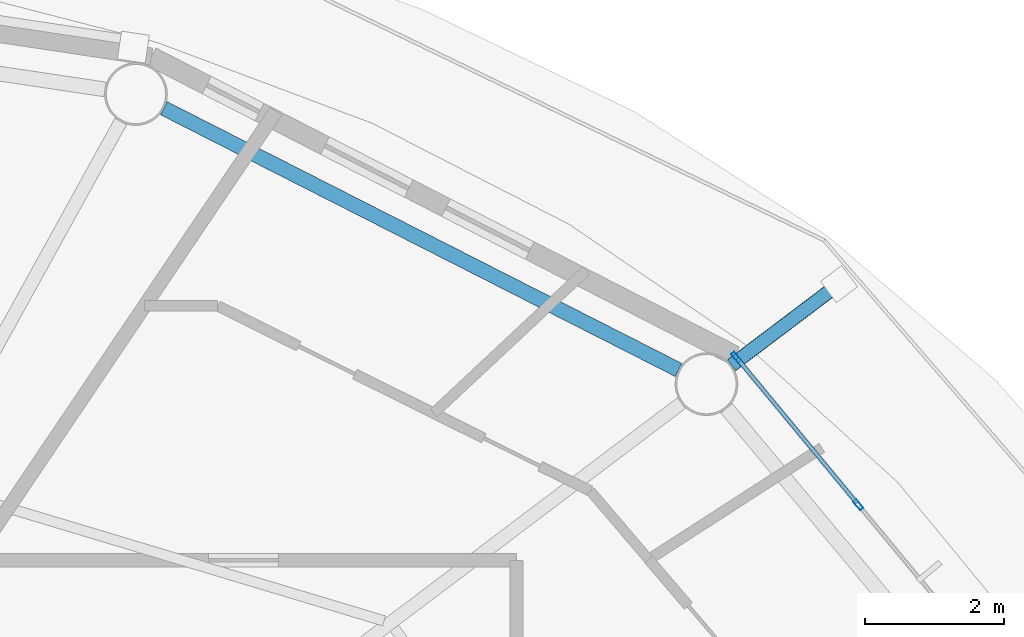
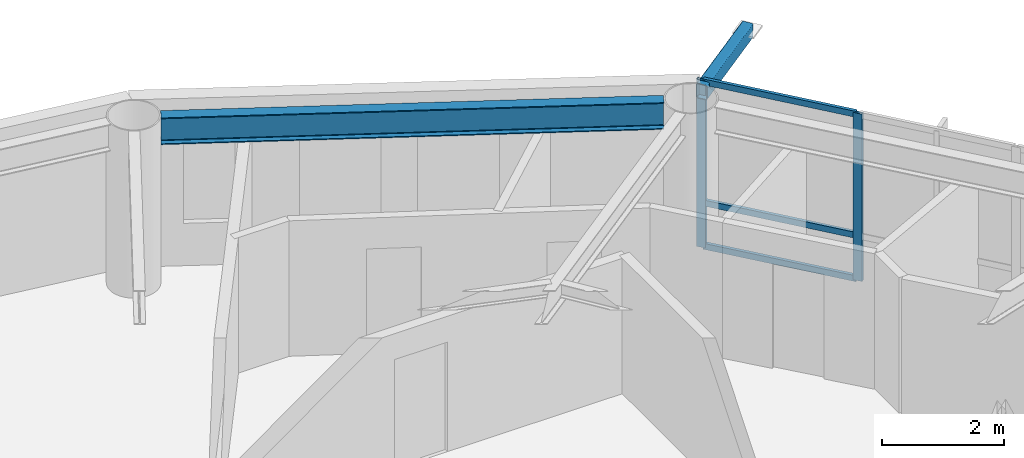
# One storey, part 11 of 23: 6 members, 1 beam, 1 element without a shape of its own.
"""IFC4 building model written with IfcOpenShell, lengths in metres."""

from ifc_helpers import new_model, si_unit, direction, frame, origin, origin_2d, place, context, subcontext, project, spatial, hollow_rectangle, i_section, extrude, material, layer, layer_set, material_profile, profile_set, type_object, element, aggregate, save


model = new_model("IFC4")

# Units and contexts
model_context = context("Model", 3, precision=1e-05, world=origin(), true_north=direction((0.0, 1.0)))
body_context = subcontext(model_context, "Body", "Model", "MODEL_VIEW")
ifc_project = project(units=[si_unit("LENGTHUNIT", "METRE"), si_unit("AREAUNIT", "SQUARE_METRE"), si_unit("VOLUMEUNIT", "CUBIC_METRE"), si_unit("PLANEANGLEUNIT", "RADIAN"), si_unit("MASSUNIT", "GRAM", prefix="KILO")], contexts=[model_context])

# Site, building, storey
site_placement = place(None, origin())
site = spatial("IfcSite", under=ifc_project, at=site_placement, CompositionType="ELEMENT")
building_placement = place(site_placement, origin())
building = spatial("IfcBuilding", under=site, at=building_placement, Name="Sarneth Arch Tower", CompositionType="ELEMENT")
storey_placement = place(building_placement, frame((0.0, 0.0, 228.0)))
storey = spatial("IfcBuildingStorey", under=building, at=storey_placement, Name="L58", CompositionType="ELEMENT", Elevation=228.0)

# Beam
ifc_material_1 = material(Name="Steel S355", Category="steel")
ifc_material_profile_1 = material_profile(ifc_material_1, i_section(OverallWidth=0.2109375, OverallDepth=0.5390625, WebThickness=0.01171875, FlangeThickness=0.018798828125, FilletRadius=0.01806640625, at=origin_2d()), Name="W530x109")
ifc_profile_set_1 = profile_set([ifc_material_profile_1], Name="Steel S355")
beam_type = type_object("IfcBeamType", Name="BM-RAD-530B", PredefinedType="BEAM", material=ifc_profile_set_1)
beam_placement = place(storey_placement, frame((65.57421875, 55.780517578125, 3.090576171875), z_axis=(-0.891376248079, 0.453264144138, 0.0), x_axis=(-0.453264144138, -0.891376248079, 0.0)))
element("IfcBeam", 1, at=beam_placement, inside=storey, type_object=beam_type, Name="L58 Perimeter spandrel beam 03", PredefinedType="BEAM", context=body_context, shape_type="SweptSolid", body=[
    extrude(i_section(OverallWidth=0.2109375, OverallDepth=0.5390625, WebThickness=0.01171875, FlangeThickness=0.018798828125, FilletRadius=0.01806640625, at=origin_2d()), origin(), (0.0, 0.0, 1.0), 8.281982421875),
])

# Curtain wall, members
ifc_material_2 = material(Name="Anodised aluminium Type AA25 and solar-control low-e laminated IGU", Category="aluminium")
ifc_layer = layer(ifc_material_2, 0.179931640625)
ifc_layer_set = layer_set([ifc_layer], Name="Anodised aluminium Type AA25 and solar-control low-e laminated IGU")
curtain_wall_type = type_object("IfcCurtainWallType", Name="CW-RES-HIGH", PredefinedType="NOTDEFINED", material=ifc_layer_set)
curtain_wall_placement = place(storey_placement, origin())
curtain_wall = element("IfcCurtainWall", 2, at=curtain_wall_placement, inside=storey, type_object=curtain_wall_type, Name="L58 Unitised curtain wall facet 02", PredefinedType="NOTDEFINED")
ifc_material_3 = material(Name="Anodised Aluminium 6063-T6", Category="aluminium")
ifc_material_profile_2 = material_profile(ifc_material_3, hollow_rectangle(XDim=0.06005859375, YDim=0.159912109375, WallThickness=0.00390625, at=origin_2d()), Name="AL-MULL-160x60x4")
ifc_profile_set_2 = profile_set([ifc_material_profile_2], Name="Anodised Aluminium 6063-T6")
member_type_1 = type_object("IfcMemberType", Name="CW-MULLION", PredefinedType="MULLION", material=ifc_profile_set_2)
member_1_placement = place(storey_placement, frame((68.15283203125, 53.84765625, 0.0), z_axis=(0.0, 0.0, 1.0), x_axis=(-0.770359245933, -0.637610094184, 0.0)))
member_1 = element("IfcMember", 3, at=member_1_placement, type_object=member_type_1, Name="CW-SYS-6 mullion 3", PredefinedType="MULLION", context=body_context, shape_type="SweptSolid", body=[
    extrude(hollow_rectangle(XDim=0.06005859375, YDim=0.159912109375, WallThickness=0.00390625, at=origin_2d()), origin(), (0.0, 0.0, 1.0), 3.360107421875),
])
member_2_placement = place(storey_placement, frame((66.401611328125, 55.96337890625, 0.0), z_axis=(0.0, 0.0, 1.0), x_axis=(-0.770359245933, -0.637610094184, 0.0)))
member_2 = element("IfcMember", 4, at=member_2_placement, type_object=member_type_1, Name="CW-SYS-6 mullion 4", PredefinedType="MULLION", context=body_context, shape_type="SweptSolid", body=[
    extrude(hollow_rectangle(XDim=0.06005859375, YDim=0.159912109375, WallThickness=0.00390625, at=origin_2d()), origin(), (0.0, 0.0, 1.0), 3.360107421875),
])
ifc_material_4 = material(Name="Anodised Aluminium 6063-T6", Category="aluminium")
ifc_material_profile_3 = material_profile(ifc_material_4, hollow_rectangle(XDim=0.06005859375, YDim=0.1201171875, WallThickness=0.00390625, at=origin_2d()), Name="AL-TRAN-120x60x4")
ifc_profile_set_3 = profile_set([ifc_material_profile_3], Name="Anodised Aluminium 6063-T6")
member_type_2 = type_object("IfcMemberType", Name="CW-TRANSOM", PredefinedType="USERDEFINED", material=ifc_profile_set_3)
member_3_placement = place(storey_placement, frame((68.1337890625, 53.87060546875, 0.030029296875), z_axis=(-0.637606765719, 0.770362000821, 0.0), x_axis=(-0.770362000821, -0.637606765719, 0.0)))
member_3 = element("IfcMember", 5, at=member_3_placement, type_object=member_type_2, Name="CW-SYS-6 transom 3.1", ObjectType="TRANSOM", PredefinedType="USERDEFINED", context=body_context, shape_type="SweptSolid", body=[
    extrude(hollow_rectangle(XDim=0.06005859375, YDim=0.1201171875, WallThickness=0.00390625, at=origin_2d()), origin(), (0.0, 0.0, 1.0), 2.686767578125),
])
member_4_placement = place(storey_placement, frame((68.1337890625, 53.87060546875, 0.89990234375), z_axis=(-0.637606765719, 0.770362000821, 0.0), x_axis=(-0.770362000821, -0.637606765719, 0.0)))
member_4 = element("IfcMember", 6, at=member_4_placement, type_object=member_type_2, Name="CW-SYS-6 transom 3.2", ObjectType="TRANSOM", PredefinedType="USERDEFINED", context=body_context, shape_type="SweptSolid", body=[
    extrude(hollow_rectangle(XDim=0.06005859375, YDim=0.1201171875, WallThickness=0.00390625, at=origin_2d()), origin(), (0.0, 0.0, 1.0), 2.686767578125),
])
member_5_placement = place(storey_placement, frame((68.1337890625, 53.87060546875, 3.330078125), z_axis=(-0.637606765719, 0.770362000821, 0.0), x_axis=(-0.770362000821, -0.637606765719, 0.0)))
member_5 = element("IfcMember", 7, at=member_5_placement, type_object=member_type_2, Name="CW-SYS-6 transom 3.3", ObjectType="TRANSOM", PredefinedType="USERDEFINED", context=body_context, shape_type="SweptSolid", body=[
    extrude(hollow_rectangle(XDim=0.06005859375, YDim=0.1201171875, WallThickness=0.00390625, at=origin_2d()), origin(), (0.0, 0.0, 1.0), 2.686767578125),
])
aggregate(curtain_wall, [member_1, member_2, member_3, member_4, member_5])

# Member
ifc_material_5 = material(Name="Steel S355", Category="steel")
ifc_material_profile_4 = material_profile(ifc_material_5, hollow_rectangle(XDim=0.199951171875, YDim=0.300048828125, WallThickness=0.012451171875, InnerFilletRadius=0.018798828125, OuterFilletRadius=0.03125, at=origin_2d()), Name="RHS300x200x12.5")
ifc_profile_set_4 = profile_set([ifc_material_profile_4], Name="Steel S355")
member_type_3 = type_object("IfcMemberType", Name="MEM-CANT-STRUT", PredefinedType="STRUT", material=ifc_profile_set_4)
member_6_placement = place(storey_placement, frame((66.334228515625, 55.84765625, 3.199951171875), z_axis=(0.79799424689, 0.602665066128, 0.0), x_axis=(-0.602665066128, 0.79799424689, 0.0)))
element("IfcMember", 8, at=member_6_placement, inside=storey, type_object=member_type_3, Name="L58 Balcony cantilever bracket 03", PredefinedType="STRUT", context=body_context, shape_type="SweptSolid", body=[
    extrude(hollow_rectangle(XDim=0.199951171875, YDim=0.300048828125, WallThickness=0.012451171875, InnerFilletRadius=0.018798828125, OuterFilletRadius=0.03125, at=origin_2d()), origin(), (0.0, 0.0, 1.0), 1.932373046875),
])

save(model, "model.ifc")
